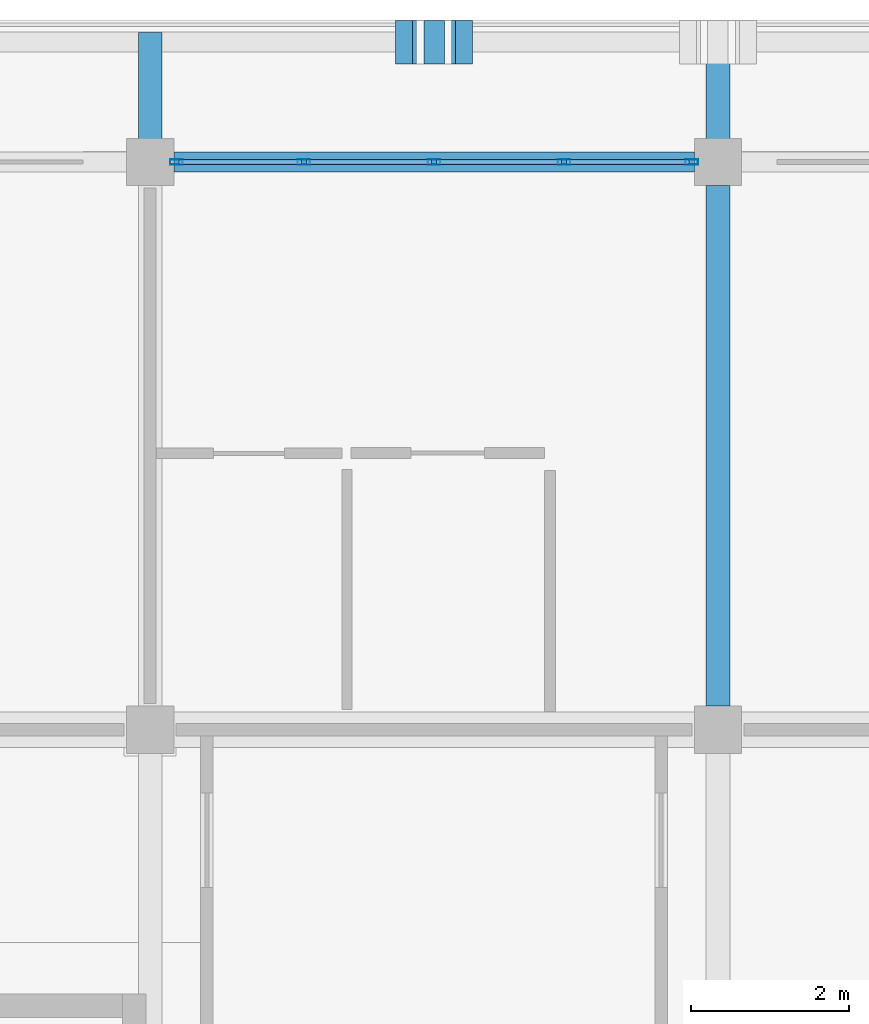
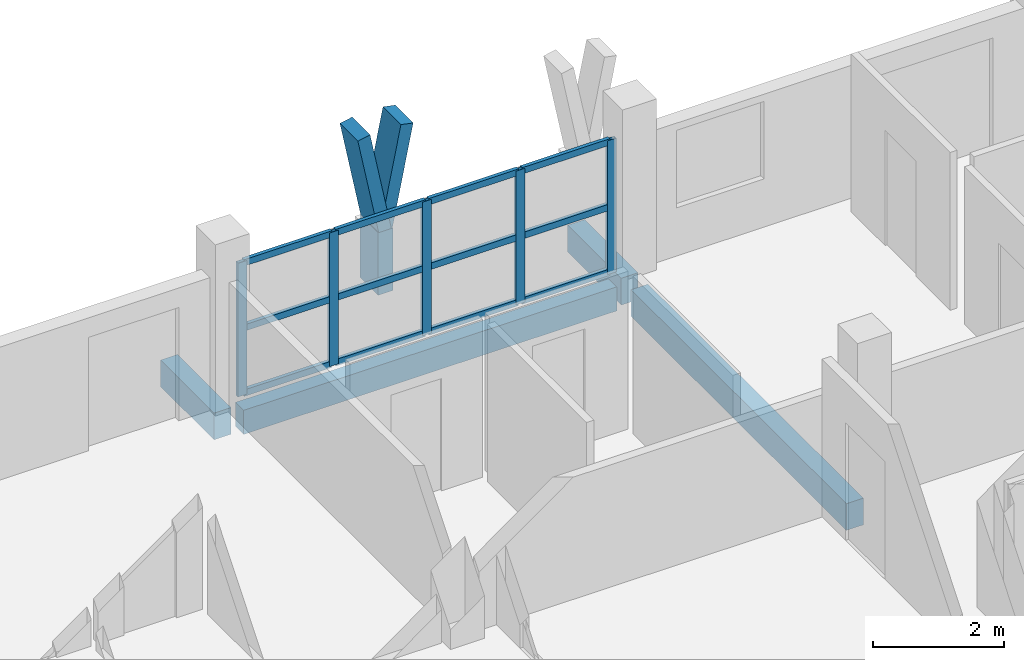
# One storey, part 13 of 65: 20 members, 4 beams, 1 element without a shape of its own.
"""IFC4 building model written with IfcOpenShell, lengths in metres."""

from ifc_helpers import new_model, si_unit, direction, frame, origin, origin_2d, place, context, subcontext, project, spatial, rectangle, hollow_rectangle, extrude, material, material_profile, profile_set, type_object, element, aggregate, save


model = new_model("IFC4")

# Units and contexts
model_context = context("Model", 3, precision=1e-05, world=origin(), true_north=direction((0.0, 1.0)))
body_context = subcontext(model_context, "Body", "Model", "MODEL_VIEW")
ifc_project = project(units=[si_unit("LENGTHUNIT", "METRE"), si_unit("AREAUNIT", "SQUARE_METRE"), si_unit("VOLUMEUNIT", "CUBIC_METRE"), si_unit("PLANEANGLEUNIT", "RADIAN"), si_unit("MASSUNIT", "GRAM", prefix="KILO")], contexts=[model_context])

# Site, building, storey
site_placement = place(None, origin())
site = spatial("IfcSite", under=ifc_project, at=site_placement, CompositionType="ELEMENT")
building_placement = place(site_placement, origin())
building = spatial("IfcBuilding", under=site, at=building_placement, Name="Suanplinth Sawtooth Commons", CompositionType="ELEMENT")
storey_placement = place(building_placement, frame((0.0, 0.0, 28.300048828125)))
storey = spatial("IfcBuildingStorey", under=building, at=storey_placement, Name="L08", CompositionType="ELEMENT", Elevation=28.300048828125)

# Beams
ifc_material_1 = material(Name="Precast concrete C40/50", Category="concrete")
ifc_material_profile_1 = material_profile(ifc_material_1, rectangle(XDim=0.300048828125, YDim=0.5, at=origin_2d()), Name="PC-BM 300x500")
ifc_profile_set_1 = profile_set([ifc_material_profile_1], Name="Precast concrete C40/50")
beam_type_1 = type_object("IfcBeamType", Name="B-07", PredefinedType="BEAM", material=ifc_profile_set_1)
beam_1_placement = place(storey_placement, frame((57.60009765625, 115.5, -0.4599609375), z_axis=(0.0, 1.0, 0.0), x_axis=(-1.0, 0.0, 0.0)))
element("IfcBeam", 1, at=beam_1_placement, inside=storey, type_object=beam_type_1, Name="BMY-L08-A-8-16", PredefinedType="BEAM", context=body_context, shape_type="SweptSolid", body=[
    extrude(rectangle(XDim=0.300048828125, YDim=0.5, at=origin_2d()), origin(), (0.0, 0.0, 1.0), 6.60009765625),
])
for number, where, z_axis, x_axis, name in (
    (2, (50.39990234375, 122.39990234375, -0.429931640625), (0.0, 1.0, 0.0), (-1.0, 0.0, 0.0), "Balcony Outrigger L08-A-N-7"),
    (3, (57.60009765625, 122.39990234375, -0.429931640625), (0.0, 1.0, 0.0), (-1.0, 0.0, 0.0), "Balcony Outrigger L08-A-N-8"),
):
    element("IfcBeam", number, at=place(storey_placement, frame(where, z_axis=z_axis, x_axis=x_axis)), inside=storey, type_object=beam_type_1, Name=name, PredefinedType="BEAM", context=body_context, shape_type="SweptSolid", body=[
        extrude(rectangle(XDim=0.300048828125, YDim=0.5, at=origin_2d()), origin(), (0.0, 0.0, 1.0), 1.64013671875),
    ])
ifc_material_profile_2 = material_profile(ifc_material_1, rectangle(XDim=0.25, YDim=0.449951171875, at=origin_2d()), Name="PC-SP 250x450")
ifc_profile_set_2 = profile_set([ifc_material_profile_2], Name="Precast concrete C40/50")
beam_type_2 = type_object("IfcBeamType", Name="B-09", PredefinedType="SPANDREL", material=ifc_profile_set_2)
beam_2_placement = place(storey_placement, frame((50.699951171875, 122.39990234375, -0.43505859375), z_axis=(1.0, 0.0, 0.0), x_axis=(0.0, 1.0, 0.0)))
element("IfcBeam", 4, at=beam_2_placement, inside=storey, type_object=beam_type_2, Name="BMX-L08-A-7-17", PredefinedType="SPANDREL", context=body_context, shape_type="SweptSolid", body=[
    extrude(rectangle(XDim=0.25, YDim=0.449951171875, at=origin_2d()), origin(), (0.0, 0.0, 1.0), 6.60009765625),
])

# Members
ifc_material_2 = material(Name="Pigmented precast concrete C40/50", Category="concrete")
ifc_material_profile_3 = material_profile(ifc_material_2, rectangle(XDim=0.260009765625, YDim=0.550048828125, at=origin_2d()), Name="PC-FIN 260x550")
ifc_profile_set_3 = profile_set([ifc_material_profile_3], Name="Pigmented precast concrete C40/50")
member_type_1 = type_object("IfcMemberType", Name="M-09", PredefinedType="USERDEFINED", material=ifc_profile_set_3)
member_1_placement = place(storey_placement, frame((54.0, 123.919921875, 0.0), z_axis=(0.0, 0.0, 1.0), x_axis=(1.0, 0.0, 0.0)))
element("IfcMember", 5, at=member_1_placement, inside=storey, type_object=member_type_1, Name="Y-Blade Stem L08-A-N-03", ObjectType="SHADING FIN", PredefinedType="USERDEFINED", context=body_context, shape_type="SweptSolid", body=[
    extrude(rectangle(XDim=0.260009765625, YDim=0.550048828125, at=origin_2d()), origin(), (0.0, 0.0, 1.0), 1.169921875),
])
ifc_material_profile_4 = material_profile(ifc_material_2, rectangle(XDim=0.219970703125, YDim=0.550048828125, at=origin_2d()), Name="PC-FIN 220x550")
ifc_profile_set_4 = profile_set([ifc_material_profile_4], Name="Pigmented precast concrete C40/50")
member_type_2 = type_object("IfcMemberType", Name="M-10", PredefinedType="USERDEFINED", material=ifc_profile_set_4)
for number, where, z_axis, x_axis, name in (
    (6, (54.0, 123.919921875, 1.1298828125), (-0.196406855569, 0.0, 0.980522486782), (0.980522486782, 0.0, 0.196406855569), "Y-Blade Arm L L08-A-N-03"),
    (7, (54.0, 123.919921875, 1.1298828125), (0.196406855569, 0.0, 0.980522486782), (-0.980522486782, 0.0, 0.196406855569), "Y-Blade Arm R L08-A-N-03"),
):
    element("IfcMember", number, at=place(storey_placement, frame(where, z_axis=z_axis, x_axis=x_axis)), inside=storey, type_object=member_type_2, Name=name, ObjectType="SHADING FIN", PredefinedType="USERDEFINED", context=body_context, shape_type="SweptSolid", body=[
        extrude(rectangle(XDim=0.219970703125, YDim=0.550048828125, at=origin_2d()), origin(), (0.0, 0.0, 1.0), 1.93798828125),
    ])

# Curtain wall, members
ifc_material_3 = material(Name="Anodized aluminium and low-E glazing", Category="aluminium")
curtain_wall_type = type_object("IfcCurtainWallType", Name="CW-06", PredefinedType="USERDEFINED", material=ifc_material_3)
curtain_wall_placement = place(storey_placement, origin())
curtain_wall = element("IfcCurtainWall", 8, at=curtain_wall_placement, inside=storey, type_object=curtain_wall_type, Name="Curtain Wall CW-L08-A-LOUNGE-5", ObjectType="CURTAIN WALL", PredefinedType="USERDEFINED")
ifc_material_4 = material(Name="Anodized aluminium 6063-T6", Category="aluminium")
ifc_material_profile_5 = material_profile(ifc_material_4, hollow_rectangle(XDim=0.06494140625, YDim=0.159912109375, WallThickness=0.00390625, at=origin_2d()), Name="ALU-MUL 65x160")
ifc_profile_set_5 = profile_set([ifc_material_profile_5], Name="Anodized aluminium 6063-T6")
member_type_3 = type_object("IfcMemberType", Name="M-13", PredefinedType="MULLION", material=ifc_profile_set_5)
member_2_placement = place(storey_placement, frame((50.732421875, 122.39990234375, 0.0), z_axis=(0.0, 0.0, 1.0), x_axis=(0.0, 1.0, 0.0)))
member_2 = element("IfcMember", 9, at=member_2_placement, type_object=member_type_3, Name="CW-06 mullion 1", PredefinedType="MULLION", context=body_context, shape_type="SweptSolid", body=[
    extrude(hollow_rectangle(XDim=0.06494140625, YDim=0.159912109375, WallThickness=0.00390625, at=origin_2d()), origin(), (0.0, 0.0, 1.0), 2.5),
])
member_3_placement = place(storey_placement, frame((52.35009765625, 122.39990234375, 0.0), z_axis=(0.0, 0.0, 1.0), x_axis=(0.0, 1.0, 0.0)))
member_3 = element("IfcMember", 10, at=member_3_placement, type_object=member_type_3, Name="CW-06 mullion 2", PredefinedType="MULLION", context=body_context, shape_type="SweptSolid", body=[
    extrude(hollow_rectangle(XDim=0.06494140625, YDim=0.159912109375, WallThickness=0.00390625, at=origin_2d()), origin(), (0.0, 0.0, 1.0), 2.5),
])
member_4_placement = place(storey_placement, frame((54.0, 122.39990234375, 0.0), z_axis=(0.0, 0.0, 1.0), x_axis=(0.0, 1.0, 0.0)))
member_4 = element("IfcMember", 11, at=member_4_placement, type_object=member_type_3, Name="CW-06 mullion 3", PredefinedType="MULLION", context=body_context, shape_type="SweptSolid", body=[
    extrude(hollow_rectangle(XDim=0.06494140625, YDim=0.159912109375, WallThickness=0.00390625, at=origin_2d()), origin(), (0.0, 0.0, 1.0), 2.5),
])
member_5_placement = place(storey_placement, frame((55.64990234375, 122.39990234375, 0.0), z_axis=(0.0, 0.0, 1.0), x_axis=(0.0, 1.0, 0.0)))
member_5 = element("IfcMember", 12, at=member_5_placement, type_object=member_type_3, Name="CW-06 mullion 4", PredefinedType="MULLION", context=body_context, shape_type="SweptSolid", body=[
    extrude(hollow_rectangle(XDim=0.06494140625, YDim=0.159912109375, WallThickness=0.00390625, at=origin_2d()), origin(), (0.0, 0.0, 1.0), 2.5),
])
member_6_placement = place(storey_placement, frame((57.267578125, 122.39990234375, 0.0), z_axis=(0.0, 0.0, 1.0), x_axis=(0.0, 1.0, 0.0)))
member_6 = element("IfcMember", 13, at=member_6_placement, type_object=member_type_3, Name="CW-06 mullion 5", PredefinedType="MULLION", context=body_context, shape_type="SweptSolid", body=[
    extrude(hollow_rectangle(XDim=0.06494140625, YDim=0.159912109375, WallThickness=0.00390625, at=origin_2d()), origin(), (0.0, 0.0, 1.0), 2.5),
])
ifc_material_profile_6 = material_profile(ifc_material_4, hollow_rectangle(XDim=0.06494140625, YDim=0.1201171875, WallThickness=0.00390625, at=origin_2d()), Name="ALU-TRN 65x120")
ifc_profile_set_6 = profile_set([ifc_material_profile_6], Name="Anodized aluminium 6063-T6")
member_type_4 = type_object("IfcMemberType", Name="M-15", PredefinedType="USERDEFINED", material=ifc_profile_set_6)
member_7_placement = place(storey_placement, frame((50.764892578125, 122.39990234375, 0.032470703125), z_axis=(1.0, 0.0, 0.0), x_axis=(0.0, 1.0, 0.0)))
member_7 = element("IfcMember", 14, at=member_7_placement, type_object=member_type_4, Name="CW-06 transom 1.1", ObjectType="TRANSOM", PredefinedType="USERDEFINED", context=body_context, shape_type="SweptSolid", body=[
    extrude(hollow_rectangle(XDim=0.06494140625, YDim=0.1201171875, WallThickness=0.00390625, at=origin_2d()), origin(), (0.0, 0.0, 1.0), 1.552490234375),
])
member_8_placement = place(storey_placement, frame((50.764892578125, 122.39990234375, 1.25), z_axis=(1.0, 0.0, 0.0), x_axis=(0.0, 1.0, 0.0)))
member_8 = element("IfcMember", 15, at=member_8_placement, type_object=member_type_4, Name="CW-06 transom 1.2", ObjectType="TRANSOM", PredefinedType="USERDEFINED", context=body_context, shape_type="SweptSolid", body=[
    extrude(hollow_rectangle(XDim=0.06494140625, YDim=0.1201171875, WallThickness=0.00390625, at=origin_2d()), origin(), (0.0, 0.0, 1.0), 1.552490234375),
])
member_9_placement = place(storey_placement, frame((50.764892578125, 122.39990234375, 2.467529296875), z_axis=(1.0, 0.0, 0.0), x_axis=(0.0, 1.0, 0.0)))
member_9 = element("IfcMember", 16, at=member_9_placement, type_object=member_type_4, Name="CW-06 transom 1.3", ObjectType="TRANSOM", PredefinedType="USERDEFINED", context=body_context, shape_type="SweptSolid", body=[
    extrude(hollow_rectangle(XDim=0.06494140625, YDim=0.1201171875, WallThickness=0.00390625, at=origin_2d()), origin(), (0.0, 0.0, 1.0), 1.552490234375),
])
member_10_placement = place(storey_placement, frame((52.382568359375, 122.39990234375, 0.032470703125), z_axis=(1.0, 0.0, 0.0), x_axis=(0.0, 1.0, 0.0)))
member_10 = element("IfcMember", 17, at=member_10_placement, type_object=member_type_4, Name="CW-06 transom 2.1", ObjectType="TRANSOM", PredefinedType="USERDEFINED", context=body_context, shape_type="SweptSolid", body=[
    extrude(hollow_rectangle(XDim=0.06494140625, YDim=0.1201171875, WallThickness=0.00390625, at=origin_2d()), origin(), (0.0, 0.0, 1.0), 1.5849609375),
])
member_11_placement = place(storey_placement, frame((52.382568359375, 122.39990234375, 1.25), z_axis=(1.0, 0.0, 0.0), x_axis=(0.0, 1.0, 0.0)))
member_11 = element("IfcMember", 18, at=member_11_placement, type_object=member_type_4, Name="CW-06 transom 2.2", ObjectType="TRANSOM", PredefinedType="USERDEFINED", context=body_context, shape_type="SweptSolid", body=[
    extrude(hollow_rectangle(XDim=0.06494140625, YDim=0.1201171875, WallThickness=0.00390625, at=origin_2d()), origin(), (0.0, 0.0, 1.0), 1.5849609375),
])
member_12_placement = place(storey_placement, frame((52.382568359375, 122.39990234375, 2.467529296875), z_axis=(1.0, 0.0, 0.0), x_axis=(0.0, 1.0, 0.0)))
member_12 = element("IfcMember", 19, at=member_12_placement, type_object=member_type_4, Name="CW-06 transom 2.3", ObjectType="TRANSOM", PredefinedType="USERDEFINED", context=body_context, shape_type="SweptSolid", body=[
    extrude(hollow_rectangle(XDim=0.06494140625, YDim=0.1201171875, WallThickness=0.00390625, at=origin_2d()), origin(), (0.0, 0.0, 1.0), 1.5849609375),
])
member_13_placement = place(storey_placement, frame((54.032470703125, 122.39990234375, 0.032470703125), z_axis=(1.0, 0.0, 0.0), x_axis=(0.0, 1.0, 0.0)))
member_13 = element("IfcMember", 20, at=member_13_placement, type_object=member_type_4, Name="CW-06 transom 3.1", ObjectType="TRANSOM", PredefinedType="USERDEFINED", context=body_context, shape_type="SweptSolid", body=[
    extrude(hollow_rectangle(XDim=0.06494140625, YDim=0.1201171875, WallThickness=0.00390625, at=origin_2d()), origin(), (0.0, 0.0, 1.0), 1.5849609375),
])
member_14_placement = place(storey_placement, frame((54.032470703125, 122.39990234375, 1.25), z_axis=(1.0, 0.0, 0.0), x_axis=(0.0, 1.0, 0.0)))
member_14 = element("IfcMember", 21, at=member_14_placement, type_object=member_type_4, Name="CW-06 transom 3.2", ObjectType="TRANSOM", PredefinedType="USERDEFINED", context=body_context, shape_type="SweptSolid", body=[
    extrude(hollow_rectangle(XDim=0.06494140625, YDim=0.1201171875, WallThickness=0.00390625, at=origin_2d()), origin(), (0.0, 0.0, 1.0), 1.5849609375),
])
member_15_placement = place(storey_placement, frame((54.032470703125, 122.39990234375, 2.467529296875), z_axis=(1.0, 0.0, 0.0), x_axis=(0.0, 1.0, 0.0)))
member_15 = element("IfcMember", 22, at=member_15_placement, type_object=member_type_4, Name="CW-06 transom 3.3", ObjectType="TRANSOM", PredefinedType="USERDEFINED", context=body_context, shape_type="SweptSolid", body=[
    extrude(hollow_rectangle(XDim=0.06494140625, YDim=0.1201171875, WallThickness=0.00390625, at=origin_2d()), origin(), (0.0, 0.0, 1.0), 1.5849609375),
])
member_16_placement = place(storey_placement, frame((55.6826171875, 122.39990234375, 0.032470703125), z_axis=(1.0, 0.0, 0.0), x_axis=(0.0, 1.0, 0.0)))
member_16 = element("IfcMember", 23, at=member_16_placement, type_object=member_type_4, Name="CW-06 transom 4.1", ObjectType="TRANSOM", PredefinedType="USERDEFINED", context=body_context, shape_type="SweptSolid", body=[
    extrude(hollow_rectangle(XDim=0.06494140625, YDim=0.1201171875, WallThickness=0.00390625, at=origin_2d()), origin(), (0.0, 0.0, 1.0), 1.552490234375),
])
member_17_placement = place(storey_placement, frame((55.6826171875, 122.39990234375, 1.25), z_axis=(1.0, 0.0, 0.0), x_axis=(0.0, 1.0, 0.0)))
member_17 = element("IfcMember", 24, at=member_17_placement, type_object=member_type_4, Name="CW-06 transom 4.2", ObjectType="TRANSOM", PredefinedType="USERDEFINED", context=body_context, shape_type="SweptSolid", body=[
    extrude(hollow_rectangle(XDim=0.06494140625, YDim=0.1201171875, WallThickness=0.00390625, at=origin_2d()), origin(), (0.0, 0.0, 1.0), 1.552490234375),
])
member_18_placement = place(storey_placement, frame((55.6826171875, 122.39990234375, 2.467529296875), z_axis=(1.0, 0.0, 0.0), x_axis=(0.0, 1.0, 0.0)))
member_18 = element("IfcMember", 25, at=member_18_placement, type_object=member_type_4, Name="CW-06 transom 4.3", ObjectType="TRANSOM", PredefinedType="USERDEFINED", context=body_context, shape_type="SweptSolid", body=[
    extrude(hollow_rectangle(XDim=0.06494140625, YDim=0.1201171875, WallThickness=0.00390625, at=origin_2d()), origin(), (0.0, 0.0, 1.0), 1.552490234375),
])
aggregate(curtain_wall, [member_2, member_3, member_4, member_5, member_6, member_7, member_8, member_9, member_10, member_11, member_12, member_13, member_14, member_15, member_16, member_17, member_18])

save(model, "model.ifc")
